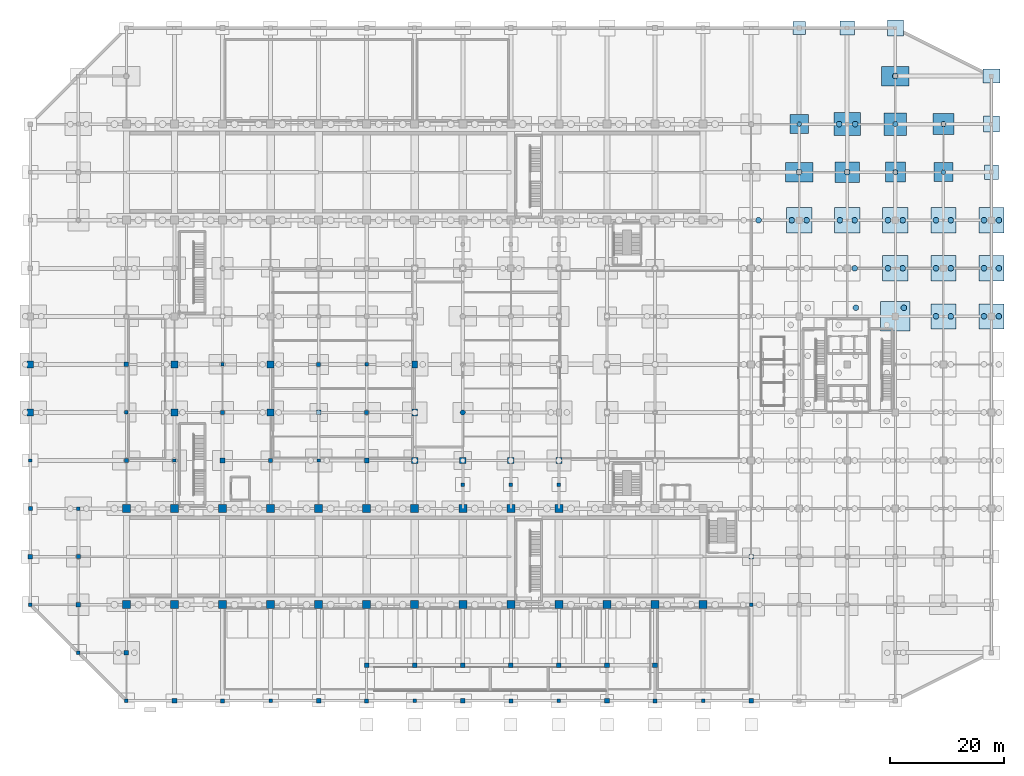
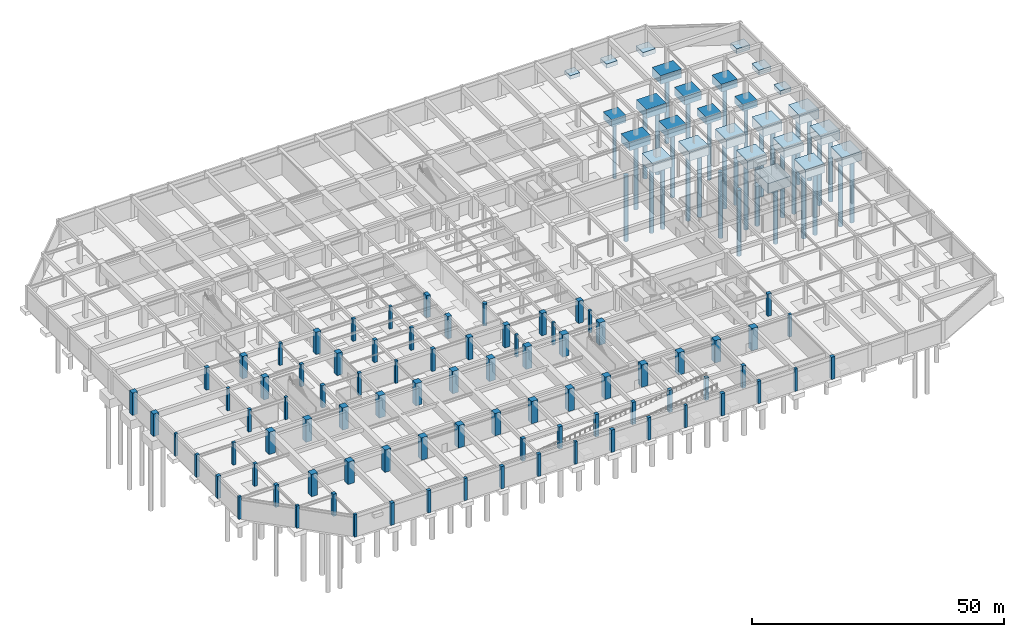
# One storey, part 4 of 26: 85 columns, 34 piles, 26 footings.
"""IFC4 building model written with IfcOpenShell, lengths in metres."""

from ifc_helpers import new_model, si_unit, direction, frame, origin, origin_2d, place, context, subcontext, project, spatial, rectangle, circle, extrude, material, material_profile, profile_set, type_object, element, save


model = new_model("IFC4")

# Units and contexts
model_context = context("Model", 3, precision=1e-05, world=origin(), true_north=direction((0.0, 1.0)))
body_context = subcontext(model_context, "Body", "Model", "MODEL_VIEW")
ifc_project = project(units=[si_unit("LENGTHUNIT", "METRE"), si_unit("AREAUNIT", "SQUARE_METRE"), si_unit("VOLUMEUNIT", "CUBIC_METRE"), si_unit("PLANEANGLEUNIT", "RADIAN"), si_unit("MASSUNIT", "GRAM", prefix="KILO")], contexts=[model_context])

# Site, building, storey
site_placement = place(None, origin())
site = spatial("IfcSite", under=ifc_project, at=site_placement, CompositionType="ELEMENT")
building_placement = place(site_placement, origin())
building = spatial("IfcBuilding", under=site, at=building_placement, Name="Xuanlan Plaza Opera House", CompositionType="ELEMENT")
storey_placement = place(building_placement, frame((0.0, 0.0, -5.39990234375)))
storey = spatial("IfcBuildingStorey", under=building, at=storey_placement, Name="B01", CompositionType="ELEMENT", Elevation=-5.39990234375)

# Footings
ifc_material_1 = material(Name="Concrete C40", Category="concrete")
footing_type_1 = type_object("IfcFootingType", Name="STR-FTG-PC-02", PredefinedType="PILE_CAP", material=ifc_material_1)
footing_1_placement = place(storey_placement, frame((151.199951171875, 92.39990234375, -1.80029296875), z_axis=(0.0, 0.0, 1.0), x_axis=(1.0, 0.0, 0.0)))
element("IfcFooting", 1, at=footing_1_placement, inside=storey, type_object=footing_type_1, Name="Podium Pile Cap 19-L", PredefinedType="PILE_CAP", context=body_context, shape_type="SweptSolid", body=[
    extrude(rectangle(XDim=3.5, YDim=3.5, at=origin_2d()), origin(), (0.0, 0.0, 1.0), 1.800048828125),
])
ifc_material_2 = material(Name="Concrete C50", Category="concrete")
footing_type_2 = type_object("IfcFootingType", Name="STR-FTG-PC-03", PredefinedType="PILE_CAP", material=ifc_material_2)
footing_2_placement = place(storey_placement, frame((151.199951171875, 100.800048828125, -2.0), z_axis=(0.0, 0.0, 1.0), x_axis=(1.0, 0.0, 0.0)))
element("IfcFooting", 2, at=footing_2_placement, inside=storey, type_object=footing_type_2, Name="Podium Pile Cap 19-M", PredefinedType="PILE_CAP", context=body_context, shape_type="SweptSolid", body=[
    extrude(rectangle(XDim=3.89990234375, YDim=3.89990234375, at=origin_2d()), origin(), (0.0, 0.0, 1.0), 2.0),
])
footing_type_3 = type_object("IfcFootingType", Name="STR-FTG-PC-04", PredefinedType="PILE_CAP", material=ifc_material_2)
for number, where, z_axis, x_axis, name in (
    (3, (134.39990234375, 84.0, -2.2001953125), (0.0, 0.0, 1.0), (1.0, 0.0, 0.0), "Tower Pile Cap 17-K"),
    (4, (142.800048828125, 84.0, -2.2001953125), (0.0, 0.0, 1.0), (1.0, 0.0, 0.0), "Tower Pile Cap 18-K"),
    (5, (151.199951171875, 75.60009765625, -2.2001953125), (0.0, 0.0, 1.0), (1.0, 0.0, 0.0), "Tower Pile Cap 19-J"),
    (6, (151.199951171875, 84.0, -2.2001953125), (0.0, 0.0, 1.0), (1.0, 0.0, 0.0), "Tower Pile Cap 19-K"),
    (7, (159.60009765625, 67.199951171875, -2.2001953125), (0.0, 0.0, 1.0), (1.0, 0.0, 0.0), "Tower Pile Cap 20-I"),
    (8, (159.60009765625, 75.60009765625, -2.2001953125), (0.0, 0.0, 1.0), (1.0, 0.0, 0.0), "Tower Pile Cap 20-J"),
    (9, (159.60009765625, 84.0, -2.2001953125), (0.0, 0.0, 1.0), (1.0, 0.0, 0.0), "Tower Pile Cap 20-K"),
    (10, (168.0, 67.199951171875, -2.2001953125), (0.0, 0.0, 1.0), (1.0, 0.0, 0.0), "Tower Pile Cap 21-I"),
    (11, (168.0, 75.60009765625, -2.2001953125), (0.0, 0.0, 1.0), (1.0, 0.0, 0.0), "Tower Pile Cap 21-J"),
    (12, (168.0, 84.0, -2.2001953125), (0.0, 0.0, 1.0), (1.0, 0.0, 0.0), "Tower Pile Cap 21-K"),
):
    element("IfcFooting", number, at=place(storey_placement, frame(where, z_axis=z_axis, x_axis=x_axis)), inside=storey, type_object=footing_type_3, Name=name, PredefinedType="PILE_CAP", context=body_context, shape_type="SweptSolid", body=[
        extrude(rectangle(XDim=4.39990234375, YDim=4.39990234375, at=origin_2d()), origin(), (0.0, 0.0, 1.0), 2.199951171875),
    ])
footing_type_4 = type_object("IfcFootingType", Name="STR-FTG-PC-07", PredefinedType="PILE_CAP", material=ifc_material_2)
for number, where, z_axis, x_axis, name in (
    (13, (134.39990234375, 92.39990234375, -2.10009765625), (0.0, 0.0, 1.0), (1.0, 0.0, 0.0), "Podium Pile Cap 17-L"),
    (14, (151.199951171875, 109.199951171875, -2.10009765625), (0.0, 0.0, 1.0), (1.0, 0.0, 0.0), "Podium Pile Cap 19-N"),
):
    element("IfcFooting", number, at=place(storey_placement, frame(where, z_axis=z_axis, x_axis=x_axis)), inside=storey, type_object=footing_type_4, Name=name, PredefinedType="PILE_CAP", context=body_context, shape_type="SweptSolid", body=[
        extrude(rectangle(XDim=4.800048828125, YDim=3.39990234375, at=origin_2d()), origin(), (0.0, 0.0, 1.0), 2.10009765625),
    ])
footing_type_5 = type_object("IfcFootingType", Name="STR-FTG-PC-08", PredefinedType="PILE_CAP", material=ifc_material_2)
footing_3_placement = place(storey_placement, frame((151.199951171875, 67.199951171875, -2.400146484375), z_axis=(0.0, 0.0, 1.0), x_axis=(1.0, 0.0, 0.0)))
element("IfcFooting", 15, at=footing_3_placement, inside=storey, type_object=footing_type_5, Name="Tower Pile Cap 19-I", PredefinedType="PILE_CAP", context=body_context, shape_type="SweptSolid", body=[
    extrude(rectangle(XDim=5.199951171875, YDim=5.199951171875, at=origin_2d()), origin(), (0.0, 0.0, 1.0), 2.39990234375),
])
footing_type_6 = type_object("IfcFootingType", Name="STR-FTG-PC-09", PredefinedType="PILE_CAP", material=ifc_material_1)
for number, where, z_axis, x_axis, name in (
    (16, (134.39990234375, 100.800048828125, -1.7001953125), (0.0, 0.0, 1.0), (1.0, 0.0, 0.0), "Podium Pile Cap 17-M"),
    (17, (159.60009765625, 92.39990234375, -1.7001953125), (0.0, 0.0, 1.0), (1.0, 0.0, 0.0), "Podium Pile Cap 20-L"),
):
    element("IfcFooting", number, at=place(storey_placement, frame(where, z_axis=z_axis, x_axis=x_axis)), inside=storey, type_object=footing_type_6, Name=name, PredefinedType="PILE_CAP", context=body_context, shape_type="SweptSolid", body=[
        extrude(rectangle(XDim=3.300048828125, YDim=3.300048828125, at=origin_2d()), origin(), (0.0, 0.0, 1.0), 1.699951171875),
    ])
footing_type_7 = type_object("IfcFootingType", Name="STR-FTG-PC-10", PredefinedType="PILE_CAP", material=ifc_material_1)
footing_4_placement = place(storey_placement, frame((159.60009765625, 100.800048828125, -1.900146484375), z_axis=(0.0, 0.0, 1.0), x_axis=(1.0, 0.0, 0.0)))
element("IfcFooting", 18, at=footing_4_placement, inside=storey, type_object=footing_type_7, Name="Podium Pile Cap 20-M", PredefinedType="PILE_CAP", context=body_context, shape_type="SweptSolid", body=[
    extrude(rectangle(XDim=3.699951171875, YDim=3.699951171875, at=origin_2d()), origin(), (0.0, 0.0, 1.0), 1.89990234375),
])
footing_type_8 = type_object("IfcFootingType", Name="STR-FTG-PC-11", PredefinedType="PILE_CAP", material=ifc_material_2)
footing_5_placement = place(storey_placement, frame((142.800048828125, 92.39990234375, -2.05029296875), z_axis=(0.0, 0.0, 1.0), x_axis=(1.0, 0.0, 0.0)))
element("IfcFooting", 19, at=footing_5_placement, inside=storey, type_object=footing_type_8, Name="Podium Pile Cap 18-L", PredefinedType="PILE_CAP", context=body_context, shape_type="SweptSolid", body=[
    extrude(rectangle(XDim=4.199951171875, YDim=3.60009765625, at=origin_2d()), origin(), (0.0, 0.0, 1.0), 2.050048828125),
])
footing_type_9 = type_object("IfcFootingType", Name="STR-FTG-PC-12", PredefinedType="PILE_CAP", material=ifc_material_2)
footing_6_placement = place(storey_placement, frame((142.800048828125, 100.800048828125, -2.150146484375), z_axis=(0.0, 0.0, 1.0), x_axis=(1.0, 0.0, 0.0)))
element("IfcFooting", 20, at=footing_6_placement, inside=storey, type_object=footing_type_9, Name="Podium Pile Cap 18-M", PredefinedType="PILE_CAP", context=body_context, shape_type="SweptSolid", body=[
    extrude(rectangle(XDim=4.60009765625, YDim=4.0, at=origin_2d()), origin(), (0.0, 0.0, 1.0), 2.14990234375),
])
footing_type_10 = type_object("IfcFootingType", Name="STR-FTG-PF-01", PredefinedType="PAD_FOOTING", material=ifc_material_1)
footing_7_placement = place(storey_placement, frame((134.39990234375, 117.60009765625, -0.900146484375), z_axis=(0.0, 0.0, 1.0), x_axis=(1.0, 0.0, 0.0)))
element("IfcFooting", 21, at=footing_7_placement, inside=storey, type_object=footing_type_10, Name="Perimeter Pad Footing 17-O", PredefinedType="PAD_FOOTING", context=body_context, shape_type="SweptSolid", body=[
    extrude(rectangle(XDim=2.199951171875, YDim=2.199951171875, at=origin_2d()), origin(), (0.0, 0.0, 1.0), 0.89990234375),
])
footing_type_11 = type_object("IfcFootingType", Name="STR-FTG-PF-02", PredefinedType="PAD_FOOTING", material=ifc_material_1)
for number, where, z_axis, x_axis, name in (
    (22, (142.800048828125, 117.60009765625, -1.0), (0.0, 0.0, 1.0), (1.0, 0.0, 0.0), "Perimeter Pad Footing 18-O"),
    (23, (168.0, 92.39990234375, -1.0), (0.0, 0.0, 1.0), (1.0, 0.0, 0.0), "Perimeter Pad Footing 21-L"),
):
    element("IfcFooting", number, at=place(storey_placement, frame(where, z_axis=z_axis, x_axis=x_axis)), inside=storey, type_object=footing_type_11, Name=name, PredefinedType="PAD_FOOTING", context=body_context, shape_type="SweptSolid", body=[
        extrude(rectangle(XDim=2.5, YDim=2.5, at=origin_2d()), origin(), (0.0, 0.0, 1.0), 1.0),
    ])
footing_type_12 = type_object("IfcFootingType", Name="STR-FTG-PF-03", PredefinedType="PAD_FOOTING", material=ifc_material_1)
for number, where, z_axis, x_axis, name in (
    (24, (151.199951171875, 117.60009765625, -1.10009765625), (0.0, 0.0, 1.0), (1.0, 0.0, 0.0), "Perimeter Pad Footing 19-O"),
    (25, (168.0, 100.800048828125, -1.10009765625), (0.0, 0.0, 1.0), (1.0, 0.0, 0.0), "Perimeter Pad Footing 21-M"),
):
    element("IfcFooting", number, at=place(storey_placement, frame(where, z_axis=z_axis, x_axis=x_axis)), inside=storey, type_object=footing_type_12, Name=name, PredefinedType="PAD_FOOTING", context=body_context, shape_type="SweptSolid", body=[
        extrude(rectangle(XDim=2.800048828125, YDim=2.800048828125, at=origin_2d()), origin(), (0.0, 0.0, 1.0), 1.10009765625),
    ])
footing_type_13 = type_object("IfcFootingType", Name="STR-FTG-PF-04", PredefinedType="PAD_FOOTING", material=ifc_material_1)
footing_8_placement = place(storey_placement, frame((168.0, 109.199951171875, -1.150146484375), z_axis=(0.0, 0.0, 1.0), x_axis=(1.0, 0.0, 0.0)))
element("IfcFooting", 26, at=footing_8_placement, inside=storey, type_object=footing_type_13, Name="Perimeter Pad Footing 21-N", PredefinedType="PAD_FOOTING", context=body_context, shape_type="SweptSolid", body=[
    extrude(rectangle(XDim=3.0, YDim=2.39990234375, at=origin_2d()), origin(), (0.0, 0.0, 1.0), 1.14990234375),
])

# Piles
ifc_material_profile_1 = material_profile(ifc_material_1, circle(Radius=0.39990234375, at=origin_2d()), Name="PILE D800")
ifc_profile_set_1 = profile_set([ifc_material_profile_1], Name="Concrete C40")
pile_type_1 = type_object("IfcPileType", Name="STR-PILE-01", PredefinedType="BORED", material=ifc_profile_set_1)
for number, where, z_axis, x_axis, name in (
    (27, (134.39990234375, 100.800048828125, -1.550048828125), (0.0, 0.0, -1.0), (1.0, 0.0, 0.0), "Bored Pile 17-M-P1"),
    (28, (159.60009765625, 92.39990234375, -1.550048828125), (0.0, 0.0, -1.0), (1.0, 0.0, 0.0), "Bored Pile 20-L-P1"),
):
    element("IfcPile", number, at=place(storey_placement, frame(where, z_axis=z_axis, x_axis=x_axis)), inside=storey, type_object=pile_type_1, Name=name, PredefinedType="BORED", context=body_context, shape_type="SweptSolid", body=[
        extrude(circle(Radius=0.39990234375, at=origin_2d()), origin(), (0.0, 0.0, 1.0), 14.0),
    ])
ifc_material_profile_2 = material_profile(ifc_material_1, circle(Radius=0.449951171875, at=origin_2d()), Name="PILE D900")
ifc_profile_set_2 = profile_set([ifc_material_profile_2], Name="Concrete C40")
pile_type_2 = type_object("IfcPileType", Name="STR-PILE-02", PredefinedType="BORED", material=ifc_profile_set_2)
for number, where, z_axis, x_axis, name in (
    (29, (151.199951171875, 92.39990234375, -1.650146484375), (0.0, 0.0, -1.0), (1.0, 0.0, 0.0), "Bored Pile 19-L-P1"),
    (30, (151.199951171875, 100.800048828125, -1.85009765625), (0.0, 0.0, -1.0), (1.0, 0.0, 0.0), "Bored Pile 19-M-P1"),
    (31, (159.60009765625, 100.800048828125, -1.75), (0.0, 0.0, -1.0), (1.0, 0.0, 0.0), "Bored Pile 20-M-P1"),
):
    element("IfcPile", number, at=place(storey_placement, frame(where, z_axis=z_axis, x_axis=x_axis)), inside=storey, type_object=pile_type_2, Name=name, PredefinedType="BORED", context=body_context, shape_type="SweptSolid", body=[
        extrude(circle(Radius=0.449951171875, at=origin_2d()), origin(), (0.0, 0.0, 1.0), 15.0),
    ])
ifc_material_profile_3 = material_profile(ifc_material_1, circle(Radius=0.5, at=origin_2d()), Name="PILE D1000")
ifc_profile_set_3 = profile_set([ifc_material_profile_3], Name="Concrete C40")
pile_type_3 = type_object("IfcPileType", Name="STR-PILE-03", PredefinedType="BORED", material=ifc_profile_set_3)
for number, where, z_axis, x_axis, name in (
    (32, (127.300048828125, 84.0, -2.050048828125), (0.0, 0.0, -1.0), (1.0, 0.0, 0.0), "Bored Pile 16-K-P2"),
    (33, (133.10009765625, 84.0, -2.050048828125), (0.0, 0.0, -1.0), (1.0, 0.0, 0.0), "Bored Pile 17-K-P1"),
    (34, (135.699951171875, 84.0, -2.050048828125), (0.0, 0.0, -1.0), (1.0, 0.0, 0.0), "Bored Pile 17-K-P2"),
    (35, (134.39990234375, 92.39990234375, -1.9501953125), (0.0, 0.0, -1.0), (1.0, 0.0, 0.0), "Bored Pile 17-L-P1"),
    (36, (144.300048828125, 68.699951171875, -2.25), (0.0, 0.0, -1.0), (1.0, 0.0, 0.0), "Bored Pile 18-I-P2"),
    (37, (144.10009765625, 75.60009765625, -2.050048828125), (0.0, 0.0, -1.0), (1.0, 0.0, 0.0), "Bored Pile 18-J-P2"),
    (38, (141.5, 84.0, -2.050048828125), (0.0, 0.0, -1.0), (1.0, 0.0, 0.0), "Bored Pile 18-K-P1"),
    (39, (144.10009765625, 84.0, -2.050048828125), (0.0, 0.0, -1.0), (1.0, 0.0, 0.0), "Bored Pile 18-K-P2"),
    (40, (142.800048828125, 92.39990234375, -1.900146484375), (0.0, 0.0, -1.0), (1.0, 0.0, 0.0), "Bored Pile 18-L-P1"),
    (41, (141.39990234375, 100.800048828125, -2.0), (0.0, 0.0, -1.0), (1.0, 0.0, 0.0), "Bored Pile 18-M-P1"),
    (42, (144.199951171875, 100.800048828125, -2.0), (0.0, 0.0, -1.0), (1.0, 0.0, 0.0), "Bored Pile 18-M-P2"),
    (43, (152.699951171875, 68.699951171875, -2.25), (0.0, 0.0, -1.0), (1.0, 0.0, 0.0), "Bored Pile 19-I-P2"),
    (44, (149.89990234375, 75.60009765625, -2.050048828125), (0.0, 0.0, -1.0), (1.0, 0.0, 0.0), "Bored Pile 19-J-P1"),
    (45, (152.5, 75.60009765625, -2.050048828125), (0.0, 0.0, -1.0), (1.0, 0.0, 0.0), "Bored Pile 19-J-P2"),
    (46, (149.89990234375, 84.0, -2.050048828125), (0.0, 0.0, -1.0), (1.0, 0.0, 0.0), "Bored Pile 19-K-P1"),
    (47, (152.5, 84.0, -2.050048828125), (0.0, 0.0, -1.0), (1.0, 0.0, 0.0), "Bored Pile 19-K-P2"),
    (48, (151.199951171875, 109.199951171875, -1.9501953125), (0.0, 0.0, -1.0), (1.0, 0.0, 0.0), "Bored Pile 19-N-P1"),
    (49, (158.300048828125, 67.199951171875, -2.050048828125), (0.0, 0.0, -1.0), (1.0, 0.0, 0.0), "Bored Pile 20-I-P1"),
    (50, (160.89990234375, 67.199951171875, -2.050048828125), (0.0, 0.0, -1.0), (1.0, 0.0, 0.0), "Bored Pile 20-I-P2"),
    (51, (158.300048828125, 75.60009765625, -2.050048828125), (0.0, 0.0, -1.0), (1.0, 0.0, 0.0), "Bored Pile 20-J-P1"),
    (52, (160.89990234375, 75.60009765625, -2.050048828125), (0.0, 0.0, -1.0), (1.0, 0.0, 0.0), "Bored Pile 20-J-P2"),
    (53, (158.300048828125, 84.0, -2.050048828125), (0.0, 0.0, -1.0), (1.0, 0.0, 0.0), "Bored Pile 20-K-P1"),
    (54, (160.89990234375, 84.0, -2.050048828125), (0.0, 0.0, -1.0), (1.0, 0.0, 0.0), "Bored Pile 20-K-P2"),
    (55, (166.699951171875, 67.199951171875, -2.050048828125), (0.0, 0.0, -1.0), (1.0, 0.0, 0.0), "Bored Pile 21-I-P1"),
    (56, (169.300048828125, 67.199951171875, -2.050048828125), (0.0, 0.0, -1.0), (1.0, 0.0, 0.0), "Bored Pile 21-I-P2"),
    (57, (166.699951171875, 75.60009765625, -2.050048828125), (0.0, 0.0, -1.0), (1.0, 0.0, 0.0), "Bored Pile 21-J-P1"),
    (58, (169.300048828125, 75.60009765625, -2.050048828125), (0.0, 0.0, -1.0), (1.0, 0.0, 0.0), "Bored Pile 21-J-P2"),
    (59, (166.699951171875, 84.0, -2.050048828125), (0.0, 0.0, -1.0), (1.0, 0.0, 0.0), "Bored Pile 21-K-P1"),
    (60, (169.300048828125, 84.0, -2.050048828125), (0.0, 0.0, -1.0), (1.0, 0.0, 0.0), "Bored Pile 21-K-P2"),
):
    element("IfcPile", number, at=place(storey_placement, frame(where, z_axis=z_axis, x_axis=x_axis)), inside=storey, type_object=pile_type_3, Name=name, PredefinedType="BORED", context=body_context, shape_type="SweptSolid", body=[
        extrude(circle(Radius=0.5, at=origin_2d()), origin(), (0.0, 0.0, 1.0), 16.0),
    ])

# Columns
ifc_material_3 = material(Name="Concrete C60", Category="concrete")
ifc_material_profile_4 = material_profile(ifc_material_3, rectangle(XDim=1.39990234375, YDim=1.39990234375, at=origin_2d()), Name="RC-COL 1400x1400")
ifc_profile_set_4 = profile_set([ifc_material_profile_4], Name="Concrete C60")
column_type_1 = type_object("IfcColumnType", Name="STR-COL-C-01", PredefinedType="COLUMN", material=ifc_profile_set_4)
for number, where, z_axis, x_axis, name in (
    (61, (16.800048828125, 16.800048828125, 0.0), (0.0, 0.0, 1.0), (1.0, 0.0, 0.0), "Column B01 3-C"),
    (62, (16.800048828125, 33.60009765625, 0.0), (0.0, 0.0, 1.0), (1.0, 0.0, 0.0), "Column B01 3-E"),
    (63, (25.199951171875, 16.800048828125, 0.0), (0.0, 0.0, 1.0), (1.0, 0.0, 0.0), "Column B01 4-C"),
    (64, (25.199951171875, 33.60009765625, 0.0), (0.0, 0.0, 1.0), (1.0, 0.0, 0.0), "Column B01 4-E"),
    (65, (33.60009765625, 16.800048828125, 0.0), (0.0, 0.0, 1.0), (1.0, 0.0, 0.0), "Column B01 5-C"),
    (66, (33.60009765625, 33.60009765625, 0.0), (0.0, 0.0, 1.0), (1.0, 0.0, 0.0), "Column B01 5-E"),
    (67, (42.0, 16.800048828125, 0.0), (0.0, 0.0, 1.0), (1.0, 0.0, 0.0), "Column B01 6-C"),
    (68, (42.0, 33.60009765625, 0.0), (0.0, 0.0, 1.0), (1.0, 0.0, 0.0), "Column B01 6-E"),
    (69, (50.39990234375, 16.800048828125, 0.0), (0.0, 0.0, 1.0), (1.0, 0.0, 0.0), "Column B01 7-C"),
    (70, (50.39990234375, 33.60009765625, 0.0), (0.0, 0.0, 1.0), (1.0, 0.0, 0.0), "Column B01 7-E"),
    (71, (58.800048828125, 16.800048828125, 0.0), (0.0, 0.0, 1.0), (1.0, 0.0, 0.0), "Column B01 8-C"),
    (72, (58.800048828125, 33.60009765625, 0.0), (0.0, 0.0, 1.0), (1.0, 0.0, 0.0), "Column B01 8-E"),
    (73, (67.199951171875, 16.800048828125, 0.0), (0.0, 0.0, 1.0), (1.0, 0.0, 0.0), "Column B01 9-C"),
    (74, (67.199951171875, 33.60009765625, 0.0), (0.0, 0.0, 1.0), (1.0, 0.0, 0.0), "Column B01 9-E"),
    (75, (75.60009765625, 16.800048828125, 0.0), (0.0, 0.0, 1.0), (1.0, 0.0, 0.0), "Column B01 10-C"),
    (76, (75.60009765625, 33.60009765625, 0.0), (0.0, 0.0, 1.0), (1.0, 0.0, 0.0), "Column B01 10-E"),
    (77, (84.0, 16.800048828125, 0.0), (0.0, 0.0, 1.0), (1.0, 0.0, 0.0), "Column B01 11-C"),
    (78, (84.0, 33.60009765625, 0.0), (0.0, 0.0, 1.0), (1.0, 0.0, 0.0), "Column B01 11-E"),
    (79, (92.39990234375, 16.800048828125, 0.0), (0.0, 0.0, 1.0), (1.0, 0.0, 0.0), "Column B01 12-C"),
    (80, (92.39990234375, 33.60009765625, 0.0), (0.0, 0.0, 1.0), (1.0, 0.0, 0.0), "Column B01 12-E"),
    (81, (100.800048828125, 16.800048828125, 0.0), (0.0, 0.0, 1.0), (1.0, 0.0, 0.0), "Column B01 13-C"),
    (82, (109.199951171875, 16.800048828125, 0.0), (0.0, 0.0, 1.0), (1.0, 0.0, 0.0), "Column B01 14-C"),
    (83, (117.60009765625, 16.800048828125, 0.0), (0.0, 0.0, 1.0), (1.0, 0.0, 0.0), "Column B01 15-C"),
):
    element("IfcColumn", number, at=place(storey_placement, frame(where, z_axis=z_axis, x_axis=x_axis)), inside=storey, type_object=column_type_1, Name=name, PredefinedType="COLUMN", context=body_context, shape_type="SweptSolid", body=[
        extrude(rectangle(XDim=1.39990234375, YDim=1.39990234375, at=origin_2d()), origin(), (0.0, 0.0, 1.0), 5.39990234375),
    ])
ifc_material_profile_5 = material_profile(ifc_material_3, rectangle(XDim=1.199951171875, YDim=1.199951171875, at=origin_2d()), Name="RC-COL 1200x1200")
ifc_profile_set_5 = profile_set([ifc_material_profile_5], Name="Concrete C60")
column_type_2 = type_object("IfcColumnType", Name="STR-COL-C-02", PredefinedType="COLUMN", material=ifc_profile_set_5)
for number, where, z_axis, x_axis, name in (
    (84, (0.0, 50.39990234375, 0.0), (0.0, 0.0, 1.0), (1.0, 0.0, 0.0), "Column B01 1-G"),
    (85, (0.0, 58.800048828125, 0.0), (0.0, 0.0, 1.0), (1.0, 0.0, 0.0), "Column B01 1-H"),
    (86, (25.199951171875, 50.39990234375, 0.0), (0.0, 0.0, 1.0), (1.0, 0.0, 0.0), "Column B01 4-G"),
    (87, (25.199951171875, 58.800048828125, 0.0), (0.0, 0.0, 1.0), (1.0, 0.0, 0.0), "Column B01 4-H"),
    (88, (42.0, 50.39990234375, 0.0), (0.0, 0.0, 1.0), (1.0, 0.0, 0.0), "Column B01 6-G"),
    (89, (42.0, 58.800048828125, 0.0), (0.0, 0.0, 1.0), (1.0, 0.0, 0.0), "Column B01 6-H"),
):
    element("IfcColumn", number, at=place(storey_placement, frame(where, z_axis=z_axis, x_axis=x_axis)), inside=storey, type_object=column_type_2, Name=name, PredefinedType="COLUMN", context=body_context, shape_type="SweptSolid", body=[
        extrude(rectangle(XDim=1.199951171875, YDim=1.199951171875, at=origin_2d()), origin(), (0.0, 0.0, 1.0), 5.39990234375),
    ])
ifc_material_profile_6 = material_profile(ifc_material_2, rectangle(XDim=1.10009765625, YDim=1.10009765625, at=origin_2d()), Name="RC-COL 1100x1100")
ifc_profile_set_6 = profile_set([ifc_material_profile_6], Name="Concrete C50")
column_type_3 = type_object("IfcColumnType", Name="STR-COL-C-03", PredefinedType="COLUMN", material=ifc_profile_set_6)
for number, where, z_axis, x_axis, name in (
    (90, (67.199951171875, 42.0, 0.0), (0.0, 0.0, 1.0), (1.0, 0.0, 0.0), "Column B01 9-F"),
    (91, (75.60009765625, 42.0, 0.0), (0.0, 0.0, 1.0), (1.0, 0.0, 0.0), "Column B01 10-F"),
    (92, (84.0, 42.0, 0.0), (0.0, 0.0, 1.0), (1.0, 0.0, 0.0), "Column B01 11-F"),
    (93, (92.39990234375, 42.0, 0.0), (0.0, 0.0, 1.0), (1.0, 0.0, 0.0), "Column B01 12-F"),
):
    element("IfcColumn", number, at=place(storey_placement, frame(where, z_axis=z_axis, x_axis=x_axis)), inside=storey, type_object=column_type_3, Name=name, PredefinedType="COLUMN", context=body_context, shape_type="SweptSolid", body=[
        extrude(rectangle(XDim=1.10009765625, YDim=1.10009765625, at=origin_2d()), origin(), (0.0, 0.0, 1.0), 5.39990234375),
    ])
ifc_material_profile_7 = material_profile(ifc_material_1, rectangle(XDim=0.800048828125, YDim=0.800048828125, at=origin_2d()), Name="RC-COL 800x800")
ifc_profile_set_7 = profile_set([ifc_material_profile_7], Name="Concrete C40")
column_type_4 = type_object("IfcColumnType", Name="STR-COL-C-06", PredefinedType="COLUMN", material=ifc_profile_set_7)
for number, where, z_axis, x_axis, name in (
    (94, (0.0, 25.199951171875, 0.0), (0.0, 0.0, 1.0), (1.0, 0.0, 0.0), "Column B01 1-D"),
    (95, (8.39990234375, 16.800048828125, 0.0), (0.0, 0.0, 1.0), (1.0, 0.0, 0.0), "Column B01 2-C"),
    (96, (16.800048828125, 8.39990234375, 0.0), (0.0, 0.0, 1.0), (1.0, 0.0, 0.0), "Column B01 3-B"),
    (97, (16.800048828125, 58.800048828125, 0.0), (0.0, 0.0, 1.0), (1.0, 0.0, 0.0), "Column B01 3-H"),
    (98, (25.199951171875, 0.0, 0.0), (0.0, 0.0, 1.0), (1.0, 0.0, 0.0), "Column B01 4-A"),
    (99, (33.60009765625, 42.0, 0.0), (0.0, 0.0, 1.0), (1.0, 0.0, 0.0), "Column B01 5-F"),
    (100, (50.39990234375, 0.0, 0.0), (0.0, 0.0, 1.0), (1.0, 0.0, 0.0), "Column B01 7-A"),
    (101, (50.39990234375, 50.39990234375, 0.0), (0.0, 0.0, 1.0), (1.0, 0.0, 0.0), "Column B01 7-G"),
    (102, (58.800048828125, 42.0, 0.0), (0.0, 0.0, 1.0), (1.0, 0.0, 0.0), "Column B01 8-F"),
    (103, (75.60009765625, 0.0, 0.0), (0.0, 0.0, 1.0), (1.0, 0.0, 0.0), "Column B01 10-A"),
    (104, (100.800048828125, 0.0, 0.0), (0.0, 0.0, 1.0), (1.0, 0.0, 0.0), "Column B01 13-A"),
    (105, (126.0, 0.0, 0.0), (0.0, 0.0, 1.0), (1.0, 0.0, 0.0), "Column B01 16-A"),
    (106, (126.0, 25.199951171875, 0.0), (0.0, 0.0, 1.0), (1.0, 0.0, 0.0), "Column B01 16-D"),
    (107, (58.800048828125, 6.199951171875, 0.0), (0.0, 0.0, 1.0), (1.0, 0.0, 0.0), "Vehicle Ramp Opening Column B01 X58"),
    (108, (67.199951171875, 6.199951171875, 0.0), (0.0, 0.0, 1.0), (1.0, 0.0, 0.0), "Vehicle Ramp Opening Column B01 X67"),
    (109, (75.60009765625, 6.199951171875, 0.0), (0.0, 0.0, 1.0), (1.0, 0.0, 0.0), "Vehicle Ramp Opening Column B01 X75"),
    (110, (84.0, 6.199951171875, 0.0), (0.0, 0.0, 1.0), (1.0, 0.0, 0.0), "Vehicle Ramp Opening Column B01 X84"),
    (111, (92.39990234375, 6.199951171875, 0.0), (0.0, 0.0, 1.0), (1.0, 0.0, 0.0), "Vehicle Ramp Opening Column B01 X92"),
    (112, (100.800048828125, 6.199951171875, 0.0), (0.0, 0.0, 1.0), (1.0, 0.0, 0.0), "Vehicle Ramp Opening Column B01 X100"),
    (113, (109.199951171875, 6.199951171875, 0.0), (0.0, 0.0, 1.0), (1.0, 0.0, 0.0), "Vehicle Ramp Opening Column B01 X109"),
):
    element("IfcColumn", number, at=place(storey_placement, frame(where, z_axis=z_axis, x_axis=x_axis)), inside=storey, type_object=column_type_4, Name=name, PredefinedType="COLUMN", context=body_context, shape_type="SweptSolid", body=[
        extrude(rectangle(XDim=0.800048828125, YDim=0.800048828125, at=origin_2d()), origin(), (0.0, 0.0, 1.0), 5.39990234375),
    ])
ifc_material_profile_8 = material_profile(ifc_material_1, rectangle(XDim=0.699951171875, YDim=0.699951171875, at=origin_2d()), Name="RC-COL 700x700")
ifc_profile_set_8 = profile_set([ifc_material_profile_8], Name="Concrete C40")
column_type_5 = type_object("IfcColumnType", Name="STR-COL-C-07", PredefinedType="COLUMN", material=ifc_profile_set_8)
for number, where, z_axis, x_axis, name in (
    (114, (0.0, 33.60009765625, 0.0), (0.0, 0.0, 1.0), (1.0, 0.0, 0.0), "Column B01 1-E"),
    (115, (8.39990234375, 25.199951171875, 0.0), (0.0, 0.0, 1.0), (1.0, 0.0, 0.0), "Column B01 2-D"),
    (116, (16.800048828125, 42.0, 0.0), (0.0, 0.0, 1.0), (1.0, 0.0, 0.0), "Column B01 3-F"),
    (117, (33.60009765625, 0.0, 0.0), (0.0, 0.0, 1.0), (1.0, 0.0, 0.0), "Column B01 5-A"),
    (118, (33.60009765625, 50.39990234375, 0.0), (0.0, 0.0, 1.0), (1.0, 0.0, 0.0), "Column B01 5-G"),
    (119, (42.0, 42.0, 0.0), (0.0, 0.0, 1.0), (1.0, 0.0, 0.0), "Column B01 6-F"),
    (120, (50.39990234375, 58.800048828125, 0.0), (0.0, 0.0, 1.0), (1.0, 0.0, 0.0), "Column B01 7-H"),
    (121, (58.800048828125, 0.0, 0.0), (0.0, 0.0, 1.0), (1.0, 0.0, 0.0), "Column B01 8-A"),
    (122, (58.800048828125, 50.39990234375, 0.0), (0.0, 0.0, 1.0), (1.0, 0.0, 0.0), "Column B01 8-G"),
    (123, (84.0, 0.0, 0.0), (0.0, 0.0, 1.0), (1.0, 0.0, 0.0), "Column B01 11-A"),
    (124, (109.199951171875, 0.0, 0.0), (0.0, 0.0, 1.0), (1.0, 0.0, 0.0), "Column B01 14-A"),
):
    element("IfcColumn", number, at=place(storey_placement, frame(where, z_axis=z_axis, x_axis=x_axis)), inside=storey, type_object=column_type_5, Name=name, PredefinedType="COLUMN", context=body_context, shape_type="SweptSolid", body=[
        extrude(rectangle(XDim=0.699951171875, YDim=0.699951171875, at=origin_2d()), origin(), (0.0, 0.0, 1.0), 5.39990234375),
    ])
ifc_material_profile_9 = material_profile(ifc_material_1, rectangle(XDim=0.60009765625, YDim=0.60009765625, at=origin_2d()), Name="RC-COL 600x600")
ifc_profile_set_9 = profile_set([ifc_material_profile_9], Name="Concrete C40")
column_type_6 = type_object("IfcColumnType", Name="STR-COL-C-08", PredefinedType="COLUMN", material=ifc_profile_set_9)
for number, where, z_axis, x_axis, name in (
    (125, (0.0, 16.800048828125, 0.0), (0.0, 0.0, 1.0), (1.0, 0.0, 0.0), "Column B01 1-C"),
    (126, (0.0, 42.0, 0.0), (0.0, 0.0, 1.0), (1.0, 0.0, 0.0), "Column B01 1-F"),
    (127, (8.39990234375, 8.39990234375, 0.0), (0.0, 0.0, 1.0), (1.0, 0.0, 0.0), "Column B01 2-B"),
    (128, (8.39990234375, 33.60009765625, 0.0), (0.0, 0.0, 1.0), (1.0, 0.0, 0.0), "Column B01 2-E"),
    (129, (16.800048828125, 0.0, 0.0), (0.0, 0.0, 1.0), (1.0, 0.0, 0.0), "Column B01 3-A"),
    (130, (16.800048828125, 50.39990234375, 0.0), (0.0, 0.0, 1.0), (1.0, 0.0, 0.0), "Column B01 3-G"),
    (131, (25.199951171875, 42.0, 0.0), (0.0, 0.0, 1.0), (1.0, 0.0, 0.0), "Column B01 4-F"),
    (132, (33.60009765625, 58.800048828125, 0.0), (0.0, 0.0, 1.0), (1.0, 0.0, 0.0), "Column B01 5-H"),
    (133, (42.0, 0.0, 0.0), (0.0, 0.0, 1.0), (1.0, 0.0, 0.0), "Column B01 6-A"),
    (134, (50.39990234375, 42.0, 0.0), (0.0, 0.0, 1.0), (1.0, 0.0, 0.0), "Column B01 7-F"),
    (135, (58.800048828125, 58.800048828125, 0.0), (0.0, 0.0, 1.0), (1.0, 0.0, 0.0), "Column B01 8-H"),
    (136, (67.199951171875, 0.0, 0.0), (0.0, 0.0, 1.0), (1.0, 0.0, 0.0), "Column B01 9-A"),
    (137, (92.39990234375, 0.0, 0.0), (0.0, 0.0, 1.0), (1.0, 0.0, 0.0), "Column B01 12-A"),
    (138, (117.60009765625, 0.0, 0.0), (0.0, 0.0, 1.0), (1.0, 0.0, 0.0), "Column B01 15-A"),
    (139, (126.0, 16.800048828125, 0.0), (0.0, 0.0, 1.0), (1.0, 0.0, 0.0), "Column B01 16-C"),
    (140, (75.60009765625, 37.800048828125, 0.0), (0.0, 0.0, 1.0), (1.0, 0.0, 0.0), "Side Tier Support Column B01 S X75"),
    (141, (84.0, 37.800048828125, 0.0), (0.0, 0.0, 1.0), (1.0, 0.0, 0.0), "Side Tier Support Column B01 S X84"),
    (142, (92.39990234375, 37.800048828125, 0.0), (0.0, 0.0, 1.0), (1.0, 0.0, 0.0), "Side Tier Support Column B01 S X92"),
):
    element("IfcColumn", number, at=place(storey_placement, frame(where, z_axis=z_axis, x_axis=x_axis)), inside=storey, type_object=column_type_6, Name=name, PredefinedType="COLUMN", context=body_context, shape_type="SweptSolid", body=[
        extrude(rectangle(XDim=0.60009765625, YDim=0.60009765625, at=origin_2d()), origin(), (0.0, 0.0, 1.0), 5.39990234375),
    ])
ifc_material_profile_10 = material_profile(ifc_material_2, rectangle(XDim=0.89990234375, YDim=1.199951171875, at=origin_2d()), Name="RC-COL 900x1200")
ifc_profile_set_10 = profile_set([ifc_material_profile_10], Name="Concrete C50")
column_type_7 = type_object("IfcColumnType", Name="STR-COL-C-10", PredefinedType="COLUMN", material=ifc_profile_set_10)
for number, where, z_axis, x_axis, name in (
    (143, (67.199951171875, 50.39990234375, 0.0), (0.0, 0.0, 1.0), (1.0, 0.0, 0.0), "Column B01 9-G"),
    (144, (67.199951171875, 58.800048828125, 0.0), (0.0, 0.0, 1.0), (1.0, 0.0, 0.0), "Column B01 9-H"),
):
    element("IfcColumn", number, at=place(storey_placement, frame(where, z_axis=z_axis, x_axis=x_axis)), inside=storey, type_object=column_type_7, Name=name, PredefinedType="COLUMN", context=body_context, shape_type="SweptSolid", body=[
        extrude(rectangle(XDim=0.89990234375, YDim=1.199951171875, at=origin_2d()), origin(), (0.0, 0.0, 1.0), 5.39990234375),
    ])
ifc_material_profile_11 = material_profile(ifc_material_1, circle(Radius=0.449951171875, at=origin_2d()), Name="RC-COL D900")
ifc_profile_set_11 = profile_set([ifc_material_profile_11], Name="Concrete C40")
column_type_8 = type_object("IfcColumnType", Name="STR-COL-C-12", PredefinedType="COLUMN", material=ifc_profile_set_11)
column_placement = place(storey_placement, frame((75.60009765625, 50.39990234375, 0.0), z_axis=(0.0, 0.0, 1.0), x_axis=(1.0, 0.0, 0.0)))
element("IfcColumn", 145, at=column_placement, inside=storey, type_object=column_type_8, Name="Column B01 10-G", PredefinedType="COLUMN", context=body_context, shape_type="SweptSolid", body=[
    extrude(circle(Radius=0.449951171875, at=origin_2d()), origin(), (0.0, 0.0, 1.0), 5.39990234375),
])

save(model, "model.ifc")
